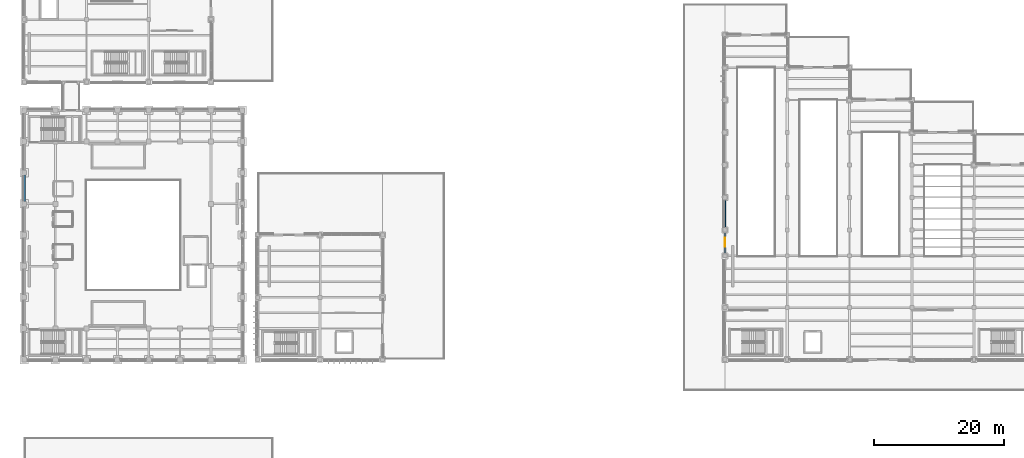
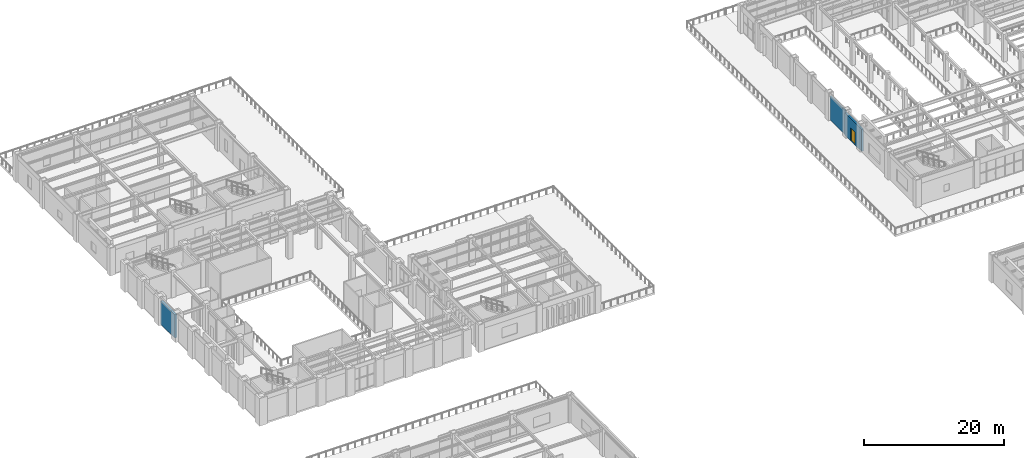
# One storey, part 59 of 83: 3 walls, 1 door, 1 opening.
"""IFC4 building model written with IfcOpenShell, lengths in metres."""

import ifcopenshell
import ifcopenshell.guid

model = None  # the IFC model being written
_history = None  # IfcOwnerHistory: only IFC2X3 demands one
_inside = {}  # id of a spatial element -> (the spatial element, [elements in it])
_under = {}  # id of a project, library or spatial element -> (it, [spatial elements below it])
_declared = {}  # id of a project -> (the project, [libraries it declares])
_typed = {}  # id of a type object -> (the type object, [elements of that type])
_made_of = {}  # id of a material, layer set ... -> (it, [elements and type objects made of it])


def new_model(schema):
    """Start an empty IFC model of exactly this schema.

    Asked for "IFC4X3", IfcOpenShell would pick the latest addendum, in which some entities
    have other attributes; the version numbers below select the first issue.
    IFC2X3 requires an IfcOwnerHistory on every rooted entity: one is made here for all.
    """
    global model, _history
    if schema == "IFC4X3":
        model = ifcopenshell.file(schema_version=(4, 3, 0, 0))
    else:
        model = ifcopenshell.file(schema=schema)
    _inside.clear()
    _under.clear()
    _declared.clear()
    _typed.clear()
    _made_of.clear()
    _history = None
    if model.schema == "IFC2X3":
        org = make("IfcOrganization", Name="unknown")
        user = make(
            "IfcPersonAndOrganization",
            ThePerson=make("IfcPerson", FamilyName="unknown"),
            TheOrganization=org,
        )
        app = make(
            "IfcApplication",
            ApplicationDeveloper=org,
            Version="unknown",
            ApplicationFullName="unknown",
            ApplicationIdentifier="unknown",
        )
        _history = make(
            "IfcOwnerHistory",
            OwningUser=user,
            OwningApplication=app,
            ChangeAction="ADDED",
            CreationDate=0,
        )
    return model


def make(cls, **values):
    """One entity of the class cls with the attributes given. An attribute that is None is left unset."""
    return model.create_entity(
        cls, **{name: value for name, value in values.items() if value is not None}
    )


def rooted(cls, **values):
    """An entity with a GlobalId (a new one), such as an element, a storey or a relation."""
    return make(cls, GlobalId=ifcopenshell.guid.new(), OwnerHistory=_history, **values)


def si_unit(unit_type, name, prefix=None):
    """IfcSIUnit, for example si_unit("LENGTHUNIT", "METRE", prefix="MILLI")."""
    return make("IfcSIUnit", UnitType=unit_type, Prefix=prefix, Name=name)


def assignment(units):
    """IfcUnitAssignment: the units of a project."""
    return None if units is None else make("IfcUnitAssignment", Units=units)


def point(xyz):
    """IfcCartesianPoint."""
    return None if xyz is None else make("IfcCartesianPoint", Coordinates=xyz)


def direction(xyz):
    """IfcDirection."""
    return None if xyz is None else make("IfcDirection", DirectionRatios=xyz)


def frame(location, z_axis=None, x_axis=None):
    """IfcAxis2Placement3D, a coordinate frame: its origin and axes. An axis left out is left unset."""
    return make(
        "IfcAxis2Placement3D",
        Location=point(location),
        Axis=direction(z_axis),
        RefDirection=direction(x_axis),
    )


def frame_2d(location, x_axis=None):
    """IfcAxis2Placement2D, a coordinate frame in the plane: its origin and x axis."""
    return make(
        "IfcAxis2Placement2D", Location=point(location), RefDirection=direction(x_axis)
    )


def origin():
    """The frame at (0, 0, 0) with its axes left unset."""
    return frame((0.0, 0.0, 0.0))


def place(relative_to, where):
    """IfcLocalPlacement: puts the frame where relative to a parent placement (None: the world)."""
    return make(
        "IfcLocalPlacement", PlacementRelTo=relative_to, RelativePlacement=where
    )


def context(
    kind, dimensions, precision=None, world=None, true_north=None, identifier=None
):
    """IfcGeometricRepresentationContext, for example the 3D "Model" context."""
    return make(
        "IfcGeometricRepresentationContext",
        ContextIdentifier=identifier,
        ContextType=kind,
        CoordinateSpaceDimension=dimensions,
        Precision=precision,
        WorldCoordinateSystem=world,
        TrueNorth=true_north,
    )


def subcontext(parent, identifier, kind, view, scale=None):
    """IfcGeometricRepresentationSubContext, for example "Body" below "Model"."""
    return make(
        "IfcGeometricRepresentationSubContext",
        ContextIdentifier=identifier,
        ContextType=kind,
        ParentContext=parent,
        TargetScale=scale,
        TargetView=view,
    )


def project(units=None, contexts=None):
    """IfcProject with its units and contexts."""
    return rooted(
        "IfcProject",
        Name="project",
        RepresentationContexts=contexts,
        UnitsInContext=assignment(units),
    )


def spatial(cls, under=None, at=None, **own):
    """A site, building, storey or space (cls), placed at a placement, below another one or the project."""
    s = rooted(cls, ObjectPlacement=at, **own)
    if under is not None:
        _under.setdefault(under.id(), (under, []))[1].append(s)
    return s


def profile(cls, at=None, kind="AREA", **sizes):
    """A parametric profile (cls). Its sizes go by their IFC names, for example OverallWidth=200.0."""
    return make(cls, ProfileType=kind, Position=at, **sizes)


def rectangle(**sizes):
    """IfcRectangleProfileDef."""
    return profile("IfcRectangleProfileDef", **sizes)


def extrude(swept, where, along, depth):
    """IfcExtrudedAreaSolid: the profile swept, set in the frame where, extruded along a direction by depth."""
    return make(
        "IfcExtrudedAreaSolid",
        SweptArea=swept,
        Position=where,
        ExtrudedDirection=direction(along),
        Depth=depth,
    )


def shape(context_of_items, identifier, shape_type, items):
    """IfcShapeRepresentation: the items that make up one representation, for example the "Body"."""
    return make(
        "IfcShapeRepresentation",
        ContextOfItems=context_of_items,
        RepresentationIdentifier=identifier,
        RepresentationType=shape_type,
        Items=items,
    )


def material(Name=None, Category=None):
    """IfcMaterial."""
    return make("IfcMaterial", Name=Name, Category=Category)


def layer(
    of_material, thickness, ventilated=None, Name=None, Category=None, Priority=None
):
    """IfcMaterialLayer: one layer of a wall or slab, of a material (None: an air gap)."""
    return make(
        "IfcMaterialLayer",
        Material=of_material,
        LayerThickness=thickness,
        IsVentilated=ventilated,
        Name=Name,
        Category=Category,
        Priority=Priority,
    )


def layer_set(layers, Name=None):
    """IfcMaterialLayerSet."""
    return make("IfcMaterialLayerSet", MaterialLayers=layers, LayerSetName=Name)


def made_of(thing, what):
    """Note that an element or type object is made of a material, layer set ...; save() writes the relation."""
    if what is not None:
        _made_of.setdefault(what.id(), (what, []))[1].append(thing)
    return thing


def type_object(cls, material=None, **own):
    """A type object (cls), such as IfcWallType, which elements share."""
    return made_of(rooted(cls, **own), material)


def element(
    cls,
    number,
    at=None,
    inside=None,
    cuts=None,
    type_object=None,
    material=None,
    context=None,
    identifier="Body",
    shape_type=None,
    held_by="IfcProductDefinitionShape",
    body=None,
    shapes=None,
    **own,
):
    """One element of the class cls, such as IfcWall. Its Tag is "e" and its number.

    at: its placement. inside: the storey or other place that contains it. cuts: it is an
    opening in that element (IfcRelVoidsElement). A single representation is given by context,
    identifier, shape_type and body (its items); several are given by shapes. held_by: the class
    of the entity that holds the representations. save() writes the other relations.
    """
    e = rooted(cls, Tag="e%d" % number, ObjectPlacement=at, **own)
    if body is not None:
        shapes = [shape(context, identifier, shape_type, body)]
    if shapes is not None:
        e.Representation = make(held_by, Representations=shapes)
    if inside is not None:
        _inside.setdefault(inside.id(), (inside, []))[1].append(e)
    if cuts is not None:
        rooted(
            "IfcRelVoidsElement", RelatingBuildingElement=cuts, RelatedOpeningElement=e
        )
    if type_object is not None:
        _typed.setdefault(type_object.id(), (type_object, []))[1].append(e)
    return made_of(e, material)


def fill(opening, filler):
    """IfcRelFillsElement: the door or window that sits in an opening."""
    return rooted(
        "IfcRelFillsElement",
        RelatingOpeningElement=opening,
        RelatedBuildingElement=filler,
    )


def aggregate(whole, parts):
    """IfcRelAggregates: a whole, such as a stair, and the parts it consists of."""
    return rooted("IfcRelAggregates", RelatingObject=whole, RelatedObjects=parts)


def save(model, path):
    """Write the relations noted so far, then the file.

    IfcRelAggregates (storeys below a building ...), IfcRelContainedInSpatialStructure (elements
    in a storey), IfcRelDefinesByType, IfcRelAssociatesMaterial and IfcRelDeclares: one each for
    every whole, place, type object, material and project.
    """
    for whole, parts in _under.values():
        aggregate(whole, parts)
    for where, things in _inside.values():
        rooted(
            "IfcRelContainedInSpatialStructure",
            RelatedElements=things,
            RelatingStructure=where,
        )
    for kind, things in _typed.values():
        rooted("IfcRelDefinesByType", RelatedObjects=things, RelatingType=kind)
    for what, things in _made_of.values():
        rooted("IfcRelAssociatesMaterial", RelatedObjects=things, RelatingMaterial=what)
    for by, libraries in _declared.values():
        rooted("IfcRelDeclares", RelatingContext=by, RelatedDefinitions=libraries)
    model.write(path)


model = new_model("IFC4")

# Units and contexts
model_context = context("Model", 3, precision=1e-05, world=origin(), true_north=direction((0.0, 1.0)))
body_context = subcontext(model_context, "Body", "Model", "MODEL_VIEW")
ifc_project = project(units=[si_unit("LENGTHUNIT", "METRE"), si_unit("AREAUNIT", "SQUARE_METRE"), si_unit("VOLUMEUNIT", "CUBIC_METRE"), si_unit("PLANEANGLEUNIT", "RADIAN"), si_unit("MASSUNIT", "GRAM", prefix="KILO")], contexts=[model_context])

# Site, building, storey
site_placement = place(None, origin())
site = spatial("IfcSite", under=ifc_project, at=site_placement, CompositionType="ELEMENT")
building_placement = place(site_placement, origin())
building = spatial("IfcBuilding", under=site, at=building_placement, Name="Mavantir Sound Aquarium", CompositionType="ELEMENT")
storey_placement = place(building_placement, frame((0.0, 0.0, 10.5)))
storey = spatial("IfcBuildingStorey", under=building, at=storey_placement, Name="L02", CompositionType="ELEMENT", Elevation=10.5)

# Wall, opening, door
ifc_material_1 = material(Name="Coral-Buff Architectural Precast Concrete C40/50", Category="concrete")
ifc_layer_1 = layer(ifc_material_1, 0.31005859375, Name="Coral-Buff Architectural Precast Concrete C40/50")
ifc_layer_set_1 = layer_set([ifc_layer_1], Name="Coral-Buff Architectural Precast Concrete C40/50")
wall_type_1 = type_object("IfcWallType", Name="EW-CORAL-310", PredefinedType="SOLIDWALL", material=ifc_layer_set_1)
wall_1_placement = place(storey_placement, frame((108.0, 61.199951171875, 0.0), z_axis=(0.0, 0.0, 1.0), x_axis=(0.0, -1.0, 0.0)))
wall_1 = element("IfcWall", 1, at=wall_1_placement, inside=storey, type_object=wall_type_1, Name="L02 terrace portal wall 19", PredefinedType="SOLIDWALL", context=body_context, shape_type="SweptSolid", body=[
    extrude(rectangle(XDim=4.800048828125, YDim=0.31005859375, at=frame_2d((2.39990234375, 0.0))), origin(), (0.0, 0.0, 1.0), 3.843994140625),
])
opening_placement = place(wall_1_placement, frame((3.0, 0.0, 0.0), z_axis=(0.0, 0.0, 1.0), x_axis=(-1.0, 0.0, 0.0)))
opening = element("IfcOpeningElement", 2, at=opening_placement, cuts=wall_1, Name="Opening ETD-02", PredefinedType="OPENING", context=body_context, shape_type="SweptSolid", body=[
    extrude(rectangle(XDim=1.35009765625, YDim=2.199951171875, at=frame_2d((0.675048828125, 1.10009765625))), frame((0.0, 0.1650390625, 0.0), z_axis=(0.0, -1.0, 0.0), x_axis=(1.0, 0.0, 0.0)), (0.0, 0.0, 1.0), 0.330078125),
])
ifc_material_2 = material(Name="Marine-Grade Anodised Aluminium and Laminated Glass", Category="aluminium")
door_type = type_object("IfcDoorType", Name="DR-TER-135", OperationType="NOTDEFINED", PredefinedType="DOOR", material=ifc_material_2)
door_placement = place(opening_placement, origin())
door = element("IfcDoor", 3, at=door_placement, inside=storey, type_object=door_type, Name="L02 terrace access door 19", OperationType="SINGLE_SWING_RIGHT", OverallHeight=2.199951171875, OverallWidth=1.35009765625, PredefinedType="DOOR", context=body_context, shape_type="SweptSolid", body=[
    extrude(rectangle(XDim=1.35009765625, YDim=2.199951171875, at=frame_2d((0.675048828125, 1.10009765625))), frame((0.0, 0.02490234375, 0.0), z_axis=(0.0, -1.0, 0.0), x_axis=(1.0, 0.0, 0.0)), (0.0, 0.0, 1.0), 0.050048828125),
])
fill(opening, door)

# Walls
ifc_layer_2 = layer(ifc_material_1, 0.340087890625, Name="Coral-Buff Architectural Precast Concrete C40/50")
ifc_layer_set_2 = layer_set([ifc_layer_2], Name="Coral-Buff Architectural Precast Concrete C40/50")
wall_type_2 = type_object("IfcWallType", Name="EW-CORAL-340", PredefinedType="SOLIDWALL", material=ifc_layer_set_2)
wall_2_placement = place(storey_placement, frame((0.0, 69.217041015625, 0.0), z_axis=(0.0, 0.0, 1.0), x_axis=(0.0, -1.0, 0.0)))
element("IfcWall", 4, at=wall_2_placement, inside=storey, type_object=wall_type_2, Name="L02 exterior facade wall EW-01 219", PredefinedType="SOLIDWALL", context=body_context, shape_type="SweptSolid", body=[
    extrude(rectangle(XDim=4.033935546875, YDim=0.340087890625, at=frame_2d((2.01708984375, 0.0))), origin(), (0.0, 0.0, 1.0), 4.05810546875),
])
ifc_material_3 = material(Name="Architectural Precast Concrete C40/50", Category="concrete")
ifc_layer_3 = layer(ifc_material_3, 0.239990234375, Name="Architectural Precast Concrete C40/50")
ifc_layer_set_3 = layer_set([ifc_layer_3], Name="Architectural Precast Concrete C40/50")
wall_type_3 = type_object("IfcWallType", Name="EW-PRE-240", PredefinedType="SOLIDWALL", material=ifc_layer_set_3)
wall_3_placement = place(storey_placement, frame((108.0, 65.491943359375, 0.0), z_axis=(0.0, 0.0, 1.0), x_axis=(0.0, -1.0, 0.0)))
element("IfcWall", 5, at=wall_3_placement, inside=storey, type_object=wall_type_3, Name="L02 exterior facade wall EW-06 270", PredefinedType="SOLIDWALL", context=body_context, shape_type="SweptSolid", body=[
    extrude(rectangle(XDim=4.286865234375, YDim=0.239990234375, at=frame_2d((2.1435546875, 0.0))), origin(), (0.0, 0.0, 1.0), 4.156005859375),
])

save(model, "model.ifc")
